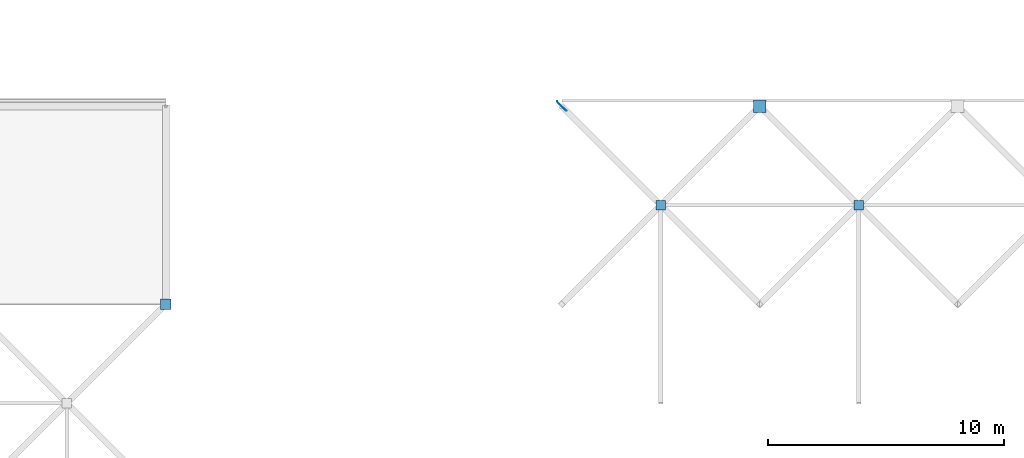
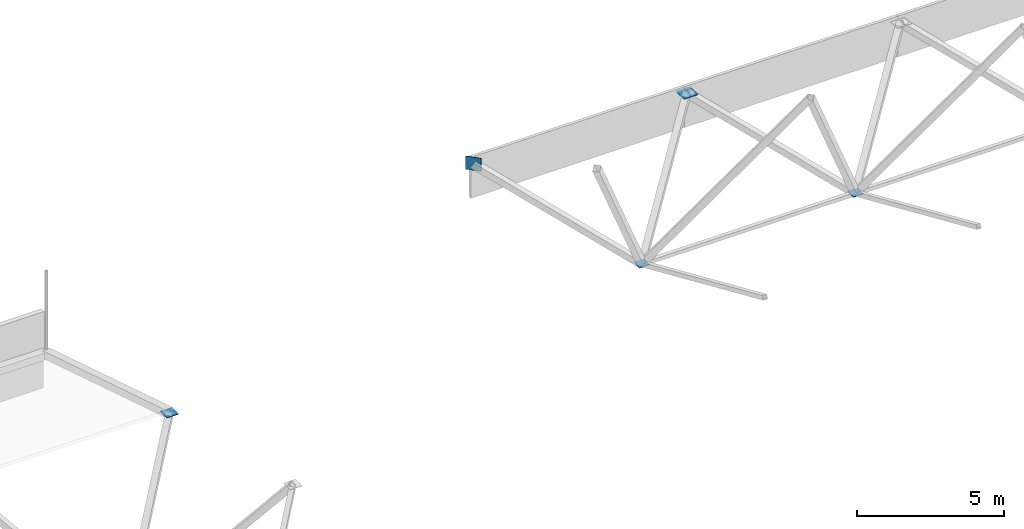
# One storey, part 68 of 85: 5 discrete accessories.
"""IFC4 building model written with IfcOpenShell, lengths in metres."""

from ifc_helpers import new_model, si_unit, direction, frame, origin, origin_2d, place, context, subcontext, project, spatial, rectangle, extrude, material, layer, layer_set, type_object, element, save


model = new_model("IFC4")

# Units and contexts
model_context = context("Model", 3, precision=1e-05, world=origin(), true_north=direction((0.0, 1.0)))
body_context = subcontext(model_context, "Body", "Model", "MODEL_VIEW")
ifc_project = project(units=[si_unit("LENGTHUNIT", "METRE"), si_unit("AREAUNIT", "SQUARE_METRE"), si_unit("VOLUMEUNIT", "CUBIC_METRE"), si_unit("PLANEANGLEUNIT", "RADIAN"), si_unit("MASSUNIT", "GRAM", prefix="KILO")], contexts=[model_context])

# Site, building, storey
site_placement = place(None, origin())
site = spatial("IfcSite", under=ifc_project, at=site_placement, CompositionType="ELEMENT")
building_placement = place(site_placement, origin())
building = spatial("IfcBuilding", under=site, at=building_placement, Name="Rain Tree Exposition and Congress Centre", CompositionType="ELEMENT")
storey_placement = place(building_placement, frame((0.0, 0.0, 15.0)))
storey = spatial("IfcBuildingStorey", under=building, at=storey_placement, Name="L03", CompositionType="ELEMENT", Elevation=15.0)

# Discrete accessories
ifc_material_1 = material(Name="Steel plate S355J2", Category="steel")
ifc_layer_1 = layer(ifc_material_1, 0.02001953125)
ifc_layer_set_1 = layer_set([ifc_layer_1], Name="Steel plate S355J2")
discrete_accessory_type_1 = type_object("IfcDiscreteAccessoryType", Name="Brace node plate 400x400x20", PredefinedType="BRACKET", material=ifc_layer_set_1)
for number, where, z_axis, x_axis, name in (
    (1, (147.0, 197.39990234375, 1.762939453125), (0.0, 0.0, 1.0), (1.0, 0.0, 0.0), "Brace node plate 400"),
    (2, (155.39990234375, 197.39990234375, 1.762939453125), (0.0, 0.0, 1.0), (1.0, 0.0, 0.0), "Brace node plate 400"),
):
    element("IfcDiscreteAccessory", number, at=place(storey_placement, frame(where, z_axis=z_axis, x_axis=x_axis)), inside=storey, type_object=discrete_accessory_type_1, Name=name, PredefinedType="BRACKET", context=body_context, shape_type="SweptSolid", body=[
        extrude(rectangle(XDim=0.39990234375, YDim=0.39990234375, at=origin_2d()), origin(), (0.0, 0.0, 1.0), 0.02001953125),
    ])
ifc_material_2 = material(Name="Steel plate S355J2", Category="steel")
ifc_layer_2 = layer(ifc_material_2, 0.02001953125)
ifc_layer_set_2 = layer_set([ifc_layer_2], Name="Steel plate S355J2")
discrete_accessory_type_2 = type_object("IfcDiscreteAccessoryType", Name="Brace node plate 450x450x20", PredefinedType="BRACKET", material=ifc_layer_set_2)
discrete_accessory_1_placement = place(storey_placement, frame((126.0, 193.199951171875, 5.456787109375), z_axis=(0.0, 0.0, 1.0), x_axis=(1.0, 0.0, 0.0)))
element("IfcDiscreteAccessory", 3, at=discrete_accessory_1_placement, inside=storey, type_object=discrete_accessory_type_2, Name="Brace node plate 450", PredefinedType="BRACKET", context=body_context, shape_type="SweptSolid", body=[
    extrude(rectangle(XDim=0.449951171875, YDim=0.449951171875, at=origin_2d()), origin(), (0.0, 0.0, 1.0), 0.02001953125),
])
ifc_material_3 = material(Name="Steel plate S355J2", Category="steel")
ifc_layer_3 = layer(ifc_material_3, 0.02001953125)
ifc_layer_set_3 = layer_set([ifc_layer_3], Name="Steel plate S355J2")
discrete_accessory_type_3 = type_object("IfcDiscreteAccessoryType", Name="Brace node plate 550x550x20", PredefinedType="BRACKET", material=ifc_layer_set_3)
discrete_accessory_2_placement = place(storey_placement, frame((142.800048828125, 201.60009765625, 4.5751953125), z_axis=(0.0, 0.0, 1.0), x_axis=(0.707106781187, -0.707106781187, 0.0)))
element("IfcDiscreteAccessory", 4, at=discrete_accessory_2_placement, inside=storey, type_object=discrete_accessory_type_3, Name="Brace node plate 550", PredefinedType="BRACKET", context=body_context, shape_type="SweptSolid", body=[
    extrude(rectangle(XDim=0.550048828125, YDim=0.02001953125, at=origin_2d()), origin(), (0.0, 0.0, 1.0), 0.550048828125),
])
discrete_accessory_3_placement = place(storey_placement, frame((151.199951171875, 201.60009765625, 4.840087890625), z_axis=(0.0, 0.0, 1.0), x_axis=(1.0, 0.0, 0.0)))
element("IfcDiscreteAccessory", 5, at=discrete_accessory_3_placement, inside=storey, type_object=discrete_accessory_type_3, Name="Brace node plate 550", PredefinedType="BRACKET", context=body_context, shape_type="SweptSolid", body=[
    extrude(rectangle(XDim=0.550048828125, YDim=0.550048828125, at=origin_2d()), origin(), (0.0, 0.0, 1.0), 0.02001953125),
])

save(model, "model.ifc")
